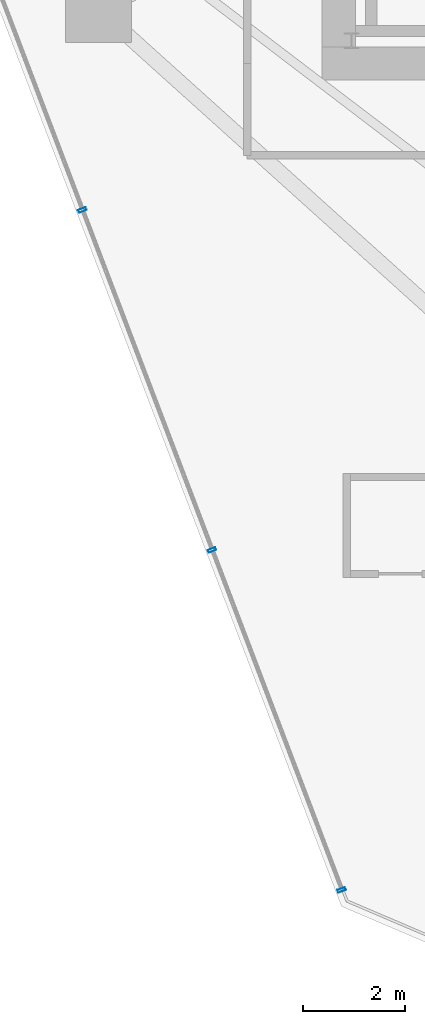
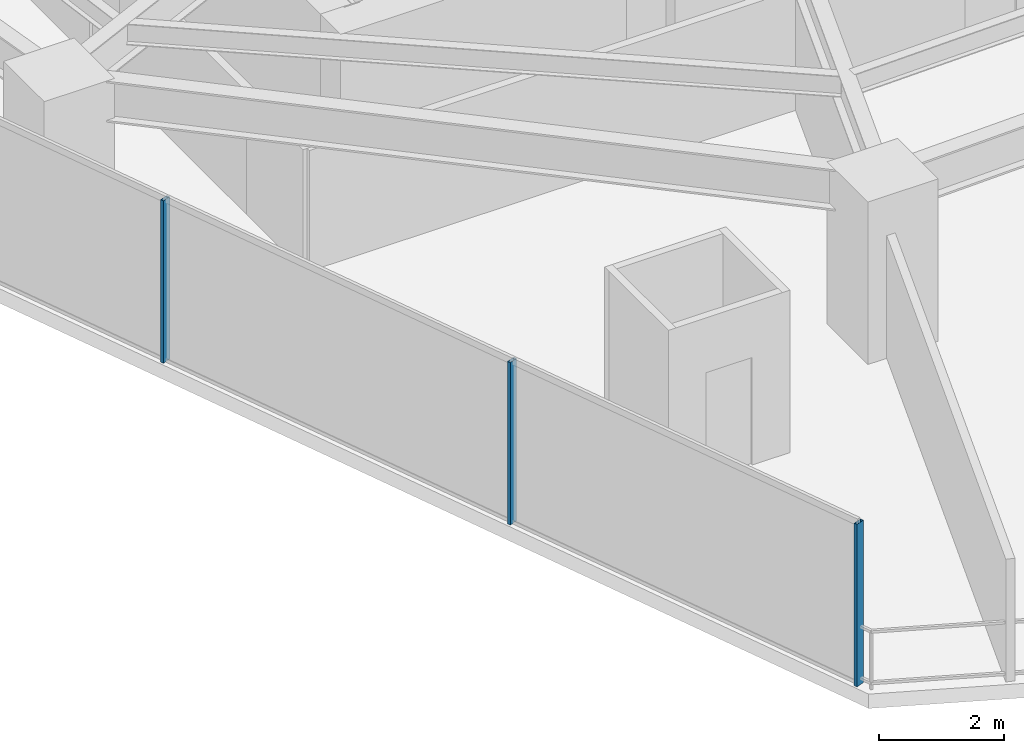
# One storey, part 3 of 31: 3 members, 1 element without a shape of its own.
"""IFC4 building model written with IfcOpenShell, lengths in metres."""

from ifc_helpers import new_model, si_unit, direction, frame, origin, origin_2d, place, context, subcontext, project, spatial, hollow_rectangle, extrude, material, layer, layer_set, material_profile, profile_set, type_object, element, aggregate, save


model = new_model("IFC4")

# Units and contexts
model_context = context("Model", 3, precision=1e-05, world=origin(), true_north=direction((0.0, 1.0)))
body_context = subcontext(model_context, "Body", "Model", "MODEL_VIEW")
ifc_project = project(units=[si_unit("LENGTHUNIT", "METRE"), si_unit("AREAUNIT", "SQUARE_METRE"), si_unit("VOLUMEUNIT", "CUBIC_METRE"), si_unit("PLANEANGLEUNIT", "RADIAN"), si_unit("MASSUNIT", "GRAM", prefix="KILO")], contexts=[model_context])

# Site, building, storey
site_placement = place(None, origin())
site = spatial("IfcSite", under=ifc_project, at=site_placement, CompositionType="ELEMENT")
building_placement = place(site_placement, origin())
building = spatial("IfcBuilding", under=site, at=building_placement, Name="Qarnah Convention Tower", CompositionType="ELEMENT")
storey_placement = place(building_placement, frame((0.0, 0.0, 33.89990234375)))
storey = spatial("IfcBuildingStorey", under=building, at=storey_placement, Name="L07", CompositionType="ELEMENT", Elevation=33.89990234375)

# Curtain wall, members
ifc_material_1 = material(Name="Tempered Low-E dark glass", Category="glass")
ifc_layer = layer(ifc_material_1, 0.16796875)
ifc_layer_set = layer_set([ifc_layer], Name="Tempered Low-E dark glass")
curtain_wall_type = type_object("IfcCurtainWallType", Name="CWS-01", PredefinedType="NOTDEFINED", material=ifc_layer_set)
curtain_wall_placement = place(storey_placement, origin())
curtain_wall = element("IfcCurtainWall", 1, at=curtain_wall_placement, inside=storey, type_object=curtain_wall_type, Name="L07 unitised curtain wall CW-L07-F2", PredefinedType="NOTDEFINED")
ifc_material_2 = material(Name="Black anodised aluminium", Category="aluminium")
ifc_material_profile = material_profile(ifc_material_2, hollow_rectangle(XDim=0.06005859375, YDim=0.159912109375, WallThickness=0.00390625, at=origin_2d()), Name="MUL-60X160")
ifc_profile_set = profile_set([ifc_material_profile], Name="Black anodised aluminium")
member_type = type_object("IfcMemberType", Name="MUL-T1", PredefinedType="MULLION", material=ifc_profile_set)
member_1_placement = place(storey_placement, frame((26.85791015625, 2.368896484375, 0.0), z_axis=(0.0, 0.0, 1.0), x_axis=(-0.356416493623, 0.934327182027, 0.0)))
member_1 = element("IfcMember", 2, at=member_1_placement, type_object=member_type, Name="CW-L07-F2 mullion 1", PredefinedType="MULLION", context=body_context, shape_type="SweptSolid", body=[
    extrude(hollow_rectangle(XDim=0.06005859375, YDim=0.159912109375, WallThickness=0.00390625, at=origin_2d()), origin(), (0.0, 0.0, 1.0), 3.170166015625),
])
member_2_placement = place(storey_placement, frame((24.310302734375, 9.04736328125, 0.0), z_axis=(0.0, 0.0, 1.0), x_axis=(-0.356416493623, 0.934327182027, 0.0)))
member_2 = element("IfcMember", 3, at=member_2_placement, type_object=member_type, Name="CW-L07-F2 mullion 2", PredefinedType="MULLION", context=body_context, shape_type="SweptSolid", body=[
    extrude(hollow_rectangle(XDim=0.06005859375, YDim=0.159912109375, WallThickness=0.00390625, at=origin_2d()), origin(), (0.0, 0.0, 1.0), 3.170166015625),
])
member_3_placement = place(storey_placement, frame((21.7626953125, 15.725830078125, 0.0), z_axis=(0.0, 0.0, 1.0), x_axis=(-0.356416493623, 0.934327182027, 0.0)))
member_3 = element("IfcMember", 4, at=member_3_placement, type_object=member_type, Name="CW-L07-F2 mullion 3", PredefinedType="MULLION", context=body_context, shape_type="SweptSolid", body=[
    extrude(hollow_rectangle(XDim=0.06005859375, YDim=0.159912109375, WallThickness=0.00390625, at=origin_2d()), origin(), (0.0, 0.0, 1.0), 3.170166015625),
])
aggregate(curtain_wall, [member_1, member_2, member_3])

save(model, "model.ifc")
